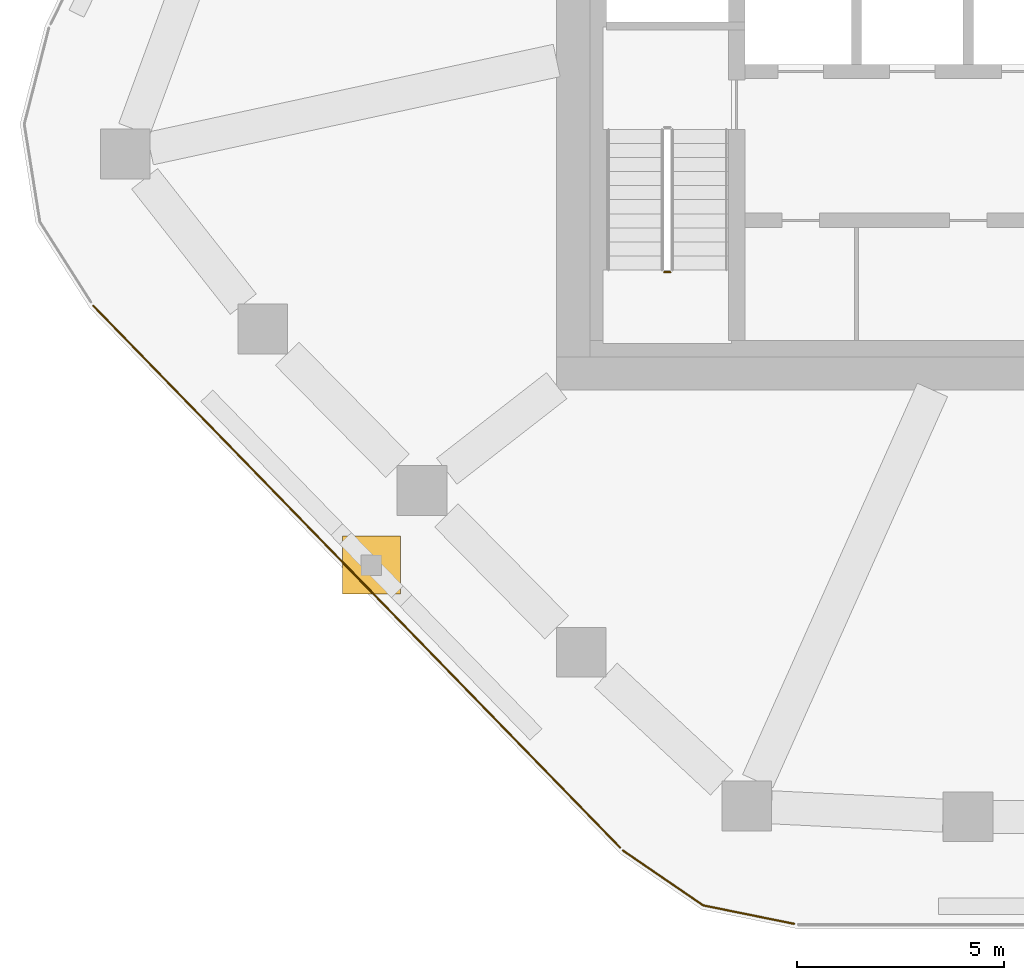
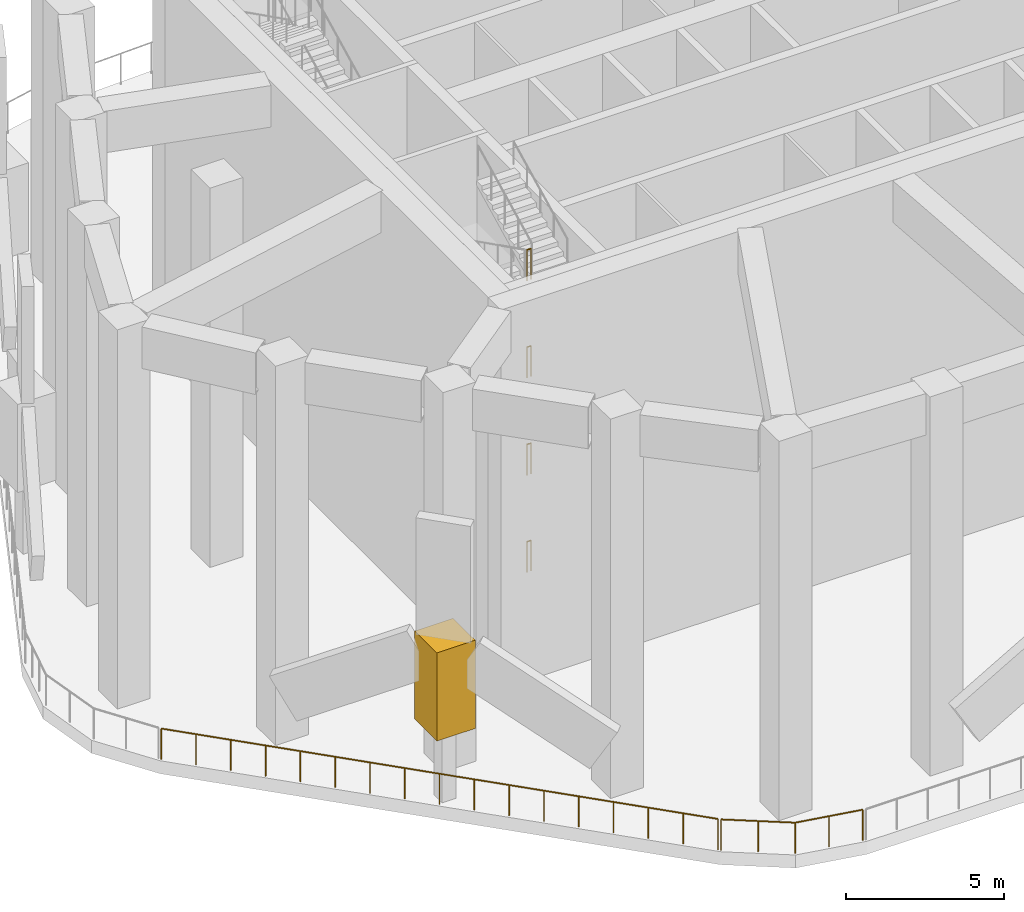
# One storey, part 6 of 12: 6 railings, 1 covering.
"""IFC4 building model written with IfcOpenShell, lengths in metres."""

from ifc_helpers import new_model, si_unit, direction, frame, origin, origin_2d, place, context, subcontext, project, spatial, rectangle, circle, extrude, material, material_profile, profile_set, type_object, element, save


model = new_model("IFC4")

# Units and contexts
model_context = context("Model", 3, precision=1e-05, world=origin(), true_north=direction((0.0, 1.0)))
body_context = subcontext(model_context, "Body", "Model", "MODEL_VIEW")
ifc_project = project(units=[si_unit("LENGTHUNIT", "METRE"), si_unit("AREAUNIT", "SQUARE_METRE"), si_unit("VOLUMEUNIT", "CUBIC_METRE"), si_unit("PLANEANGLEUNIT", "RADIAN"), si_unit("MASSUNIT", "GRAM", prefix="KILO")], contexts=[model_context])

# Site, building, storey
site_placement = place(None, origin())
site = spatial("IfcSite", under=ifc_project, at=site_placement, CompositionType="ELEMENT")
building_placement = place(site_placement, origin())
building = spatial("IfcBuilding", under=site, at=building_placement, Name="Dongbaek Canopy Tower", CompositionType="ELEMENT")
storey_placement = place(building_placement, frame((0.0, 0.0, 183.800048828125)))
storey = spatial("IfcBuildingStorey", under=building, at=storey_placement, Name="L40", CompositionType="ELEMENT", Elevation=183.800048828125)

# Railings
ifc_material_1 = material(Name="Stainless steel", Category="steel")
railing_type_1 = type_object("IfcRailingType", Name="Slot guard 1200", PredefinedType="GUARDRAIL", material=ifc_material_1)
railing_1_placement = place(storey_placement, frame((-25.206298828125, -8.963134765625, 0.0)))
element("IfcRailing", 1, at=railing_1_placement, inside=storey, type_object=railing_type_1, Name="Slot guard L40 F3", PredefinedType="GUARDRAIL", context=body_context, shape_type="SweptSolid", body=[
    extrude(circle(Radius=0.02392578125, at=origin_2d()), frame((0.0, 0.0, 1.17578125), z_axis=(0.697096137403, -0.716977667168, 0.0), x_axis=(0.716977667168, 0.697096137403, 0.0)), (0.0, 0.0, 1.0), 18.272216796875),
    extrude(circle(Radius=0.02099609375, at=origin_2d()), origin(), (0.0, 0.0, 1.0), 1.15185546875),
    extrude(circle(Radius=0.02099609375, at=origin_2d()), frame((0.796142578125, -0.81884765625, 0.0)), (0.0, 0.0, 1.0), 1.15185546875),
    extrude(circle(Radius=0.02099609375, at=origin_2d()), frame((1.59228515625, -1.6376953125, 0.0)), (0.0, 0.0, 1.0), 1.15185546875),
    extrude(circle(Radius=0.02099609375, at=origin_2d()), frame((2.38818359375, -2.456298828125, 0.0)), (0.0, 0.0, 1.0), 1.15185546875),
    extrude(circle(Radius=0.02099609375, at=origin_2d()), frame((3.184326171875, -3.275146484375, 0.0)), (0.0, 0.0, 1.0), 1.15185546875),
    extrude(circle(Radius=0.02099609375, at=origin_2d()), frame((3.98046875, -4.093994140625, 0.0)), (0.0, 0.0, 1.0), 1.15185546875),
    extrude(circle(Radius=0.02099609375, at=origin_2d()), frame((4.776611328125, -4.912841796875, 0.0)), (0.0, 0.0, 1.0), 1.15185546875),
    extrude(circle(Radius=0.02099609375, at=origin_2d()), frame((5.57275390625, -5.731689453125, 0.0)), (0.0, 0.0, 1.0), 1.15185546875),
    extrude(circle(Radius=0.02099609375, at=origin_2d()), frame((6.36865234375, -6.55029296875, 0.0)), (0.0, 0.0, 1.0), 1.15185546875),
    extrude(circle(Radius=0.02099609375, at=origin_2d()), frame((7.164794921875, -7.369140625, 0.0)), (0.0, 0.0, 1.0), 1.15185546875),
    extrude(circle(Radius=0.02099609375, at=origin_2d()), frame((7.9609375, -8.18798828125, 0.0)), (0.0, 0.0, 1.0), 1.15185546875),
    extrude(circle(Radius=0.02099609375, at=origin_2d()), frame((8.757080078125, -9.0068359375, 0.0)), (0.0, 0.0, 1.0), 1.15185546875),
    extrude(circle(Radius=0.02099609375, at=origin_2d()), frame((9.55322265625, -9.82568359375, 0.0)), (0.0, 0.0, 1.0), 1.15185546875),
    extrude(circle(Radius=0.02099609375, at=origin_2d()), frame((10.349365234375, -10.64453125, 0.0)), (0.0, 0.0, 1.0), 1.15185546875),
    extrude(circle(Radius=0.02099609375, at=origin_2d()), frame((11.145263671875, -11.463134765625, 0.0)), (0.0, 0.0, 1.0), 1.15185546875),
    extrude(circle(Radius=0.02099609375, at=origin_2d()), frame((11.94140625, -12.281982421875, 0.0)), (0.0, 0.0, 1.0), 1.15185546875),
    extrude(circle(Radius=0.02099609375, at=origin_2d()), frame((12.737548828125, -13.100830078125, 0.0)), (0.0, 0.0, 1.0), 1.15185546875),
])
railing_2_placement = place(storey_placement, frame((-12.399169921875, -22.1357421875, 0.0)))
element("IfcRailing", 2, at=railing_2_placement, inside=storey, type_object=railing_type_1, Name="Slot guard L40 K4", PredefinedType="GUARDRAIL", context=body_context, shape_type="SweptSolid", body=[
    extrude(circle(Radius=0.02392578125, at=origin_2d()), frame((0.0, 0.0, 1.17578125), z_axis=(0.825505922299, -0.56439345518, 0.0), x_axis=(0.56439345518, 0.825505922299, 0.0)), (0.0, 0.0, 1.0), 2.3505859375),
    extrude(circle(Radius=0.02392578125, at=origin_2d()), frame((1.9404296875, -1.32666015625, 1.17578125), z_axis=(0.980004842332, -0.198973638972, 0.0), x_axis=(0.198973638972, 0.980004842332, 0.0)), (0.0, 0.0, 1.0), 2.250244140625),
    extrude(circle(Radius=0.02099609375, at=origin_2d()), origin(), (0.0, 0.0, 1.0), 1.15185546875),
    extrude(circle(Radius=0.02099609375, at=origin_2d()), frame((0.97021484375, -0.663330078125, 0.0)), (0.0, 0.0, 1.0), 1.15185546875),
    extrude(circle(Radius=0.02099609375, at=origin_2d()), frame((1.9404296875, -1.32666015625, 0.0)), (0.0, 0.0, 1.0), 1.15185546875),
    extrude(circle(Radius=0.02099609375, at=origin_2d()), frame((3.04296875, -1.550537109375, 0.0)), (0.0, 0.0, 1.0), 1.15185546875),
    extrude(circle(Radius=0.02099609375, at=origin_2d()), frame((4.145751953125, -1.7744140625, 0.0)), (0.0, 0.0, 1.0), 1.15185546875),
])
ifc_material_2 = material(Name="Stainless steel tube and balusters", Category="steel")
railing_type_2 = type_object("IfcRailingType", Name="Stair guard 1200", PredefinedType="GUARDRAIL", material=ifc_material_2)
for number, where, name in (
    (3, (-11.39990234375, -8.14990234375, 1.875), "L40 ST-D stair guard 2"),
    (4, (-11.39990234375, -8.14990234375, 5.625), "L40 ST-D stair guard 6"),
    (5, (-11.39990234375, -8.14990234375, 9.375), "L40 ST-D stair guard 10"),
    (6, (-11.39990234375, -8.14990234375, 13.125), "L40 ST-D stair guard 14"),
):
    element("IfcRailing", number, at=place(storey_placement, frame(where)), inside=storey, type_object=railing_type_2, Name=name, PredefinedType="GUARDRAIL", context=body_context, shape_type="SweptSolid", body=[
        extrude(circle(Radius=0.02392578125, at=origin_2d()), frame((0.0, 0.0, 1.17578125), z_axis=(1.0, 0.0, 0.0), x_axis=(0.0, 1.0, 0.0)), (0.0, 0.0, 1.0), 0.14990234375),
        extrude(circle(Radius=0.02099609375, at=origin_2d()), origin(), (0.0, 0.0, 1.0), 1.15185546875),
        extrude(circle(Radius=0.02099609375, at=origin_2d()), frame((0.14990234375, 0.0, 0.0)), (0.0, 0.0, 1.0), 1.15185546875),
    ])

# Covering
ifc_material_3 = material(Name="Aluminium 6063-T6 pale metal turbine rotor", Category="aluminium")
ifc_material_profile = material_profile(ifc_material_3, rectangle(XDim=1.39990234375, YDim=1.39990234375, at=origin_2d()), Name="Turbine hub 1400")
ifc_profile_set = profile_set([ifc_material_profile], Name="Aluminium 6063-T6 pale metal turbine rotor")
covering_type = type_object("IfcCoveringType", Name="Turbine hub 1400", PredefinedType="CLADDING", material=ifc_profile_set)
covering_placement = place(storey_placement, frame((-18.480224609375, -15.235595703125, 2.807861328125), z_axis=(0.0, 0.0, 1.0), x_axis=(1.0, 0.0, 0.0)))
element("IfcCovering", 7, at=covering_placement, inside=storey, type_object=covering_type, Name="Turbine 5 hub", PredefinedType="CLADDING", context=body_context, shape_type="SweptSolid", body=[
    extrude(rectangle(XDim=1.39990234375, YDim=1.39990234375, at=origin_2d()), origin(), (0.0, 0.0, 1.0), 3.400146484375),
])

save(model, "model.ifc")
